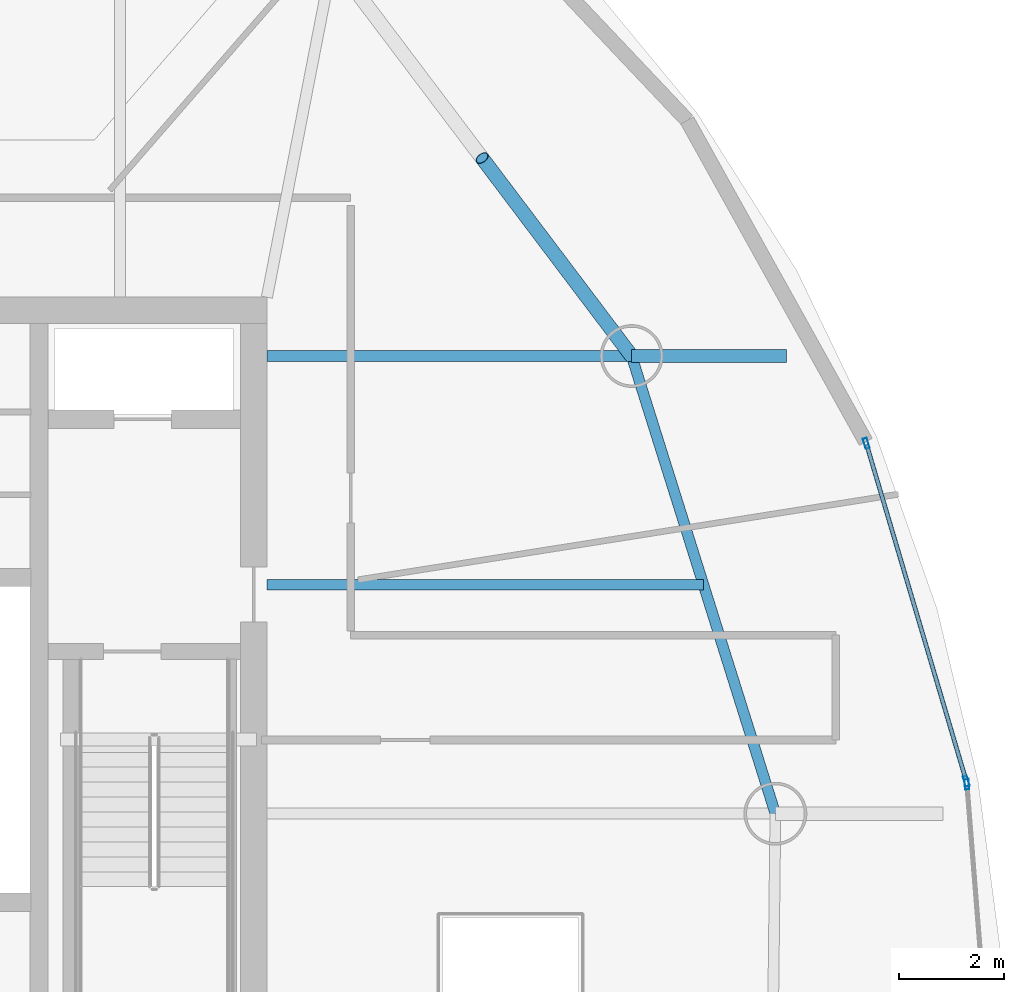
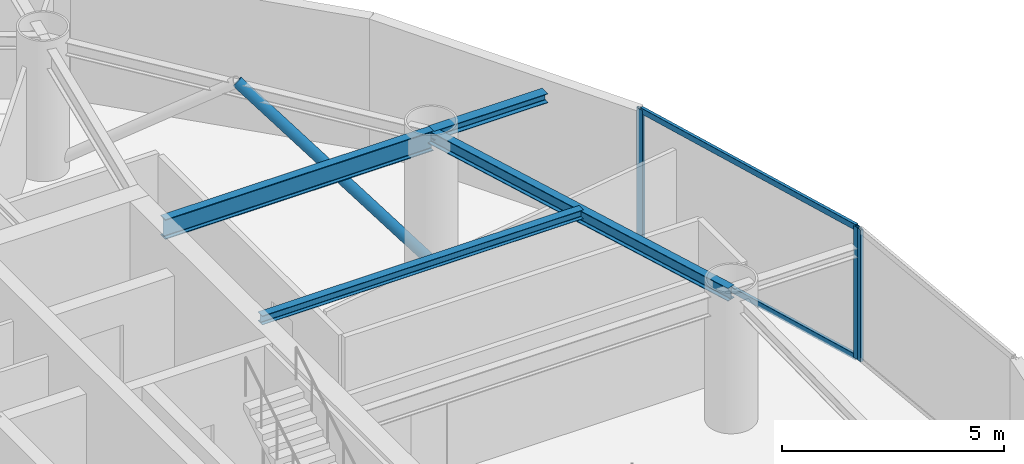
# One storey, part 9 of 21: 6 members, 4 beams, 2 elements without a shape of their own.
"""IFC4 building model written with IfcOpenShell, lengths in metres."""

from ifc_helpers import new_model, si_unit, direction, frame, origin, origin_2d, place, context, subcontext, project, spatial, hollow_rectangle, hollow_circle, i_section, extrude, material, layer, layer_set, material_profile, profile_set, type_object, element, aggregate, save


model = new_model("IFC4")

# Units and contexts
model_context = context("Model", 3, precision=1e-05, world=origin(), true_north=direction((0.0, 1.0)))
body_context = subcontext(model_context, "Body", "Model", "MODEL_VIEW")
ifc_project = project(units=[si_unit("LENGTHUNIT", "METRE"), si_unit("AREAUNIT", "SQUARE_METRE"), si_unit("VOLUMEUNIT", "CUBIC_METRE"), si_unit("PLANEANGLEUNIT", "RADIAN"), si_unit("MASSUNIT", "GRAM", prefix="KILO")], contexts=[model_context])

# Site, building, storey
site_placement = place(None, origin())
site = spatial("IfcSite", under=ifc_project, at=site_placement, CompositionType="ELEMENT")
building_placement = place(site_placement, origin())
building = spatial("IfcBuilding", under=site, at=building_placement, Name="Bramvorn Convention Spire", CompositionType="ELEMENT")
storey_placement = place(building_placement, frame((0.0, 0.0, 186.60009765625)))
storey = spatial("IfcBuildingStorey", under=building, at=storey_placement, Name="L47", CompositionType="ELEMENT", Elevation=186.60009765625)

# Beams
ifc_material_1 = material(Name="Steel CSA G40.21 Grade 350 (350W)", Category="steel")
ifc_material_profile_1 = material_profile(ifc_material_1, i_section(OverallWidth=0.201904296875, OverallDepth=0.2470703125, WebThickness=0.00732421875, FlangeThickness=0.010986328125, FilletRadius=0.011962890625, at=origin_2d()))
ifc_profile_set_1 = profile_set([ifc_material_profile_1], Name="Steel CSA G40.21 Grade 350 (350W) - W250X49")
beam_type_1 = type_object("IfcBeamType", Name="BM-W250X49", PredefinedType="JOIST", material=ifc_profile_set_1)
beam_1_placement = place(storey_placement, frame((49.25, 27.960205078125, 3.496337890625), z_axis=(1.0, 0.0, 0.0), x_axis=(0.0, 1.0, 0.0)))
element("IfcBeam", 1, at=beam_1_placement, inside=storey, type_object=beam_type_1, Name="L47 composite floor joist 03", PredefinedType="JOIST", context=body_context, shape_type="SweptSolid", body=[
    extrude(i_section(OverallWidth=0.201904296875, OverallDepth=0.2470703125, WebThickness=0.00732421875, FlangeThickness=0.010986328125, FilletRadius=0.011962890625, at=origin_2d()), origin(), (0.0, 0.0, 1.0), 8.33251953125),
])
ifc_material_profile_2 = material_profile(ifc_material_1, i_section(OverallWidth=0.25390625, OverallDepth=0.2529296875, WebThickness=0.008544921875, FlangeThickness=0.01416015625, FilletRadius=0.011962890625, at=origin_2d()))
ifc_profile_set_2 = profile_set([ifc_material_profile_2], Name="Steel CSA G40.21 Grade 350 (350W) - W250X73")
beam_type_2 = type_object("IfcBeamType", Name="BM-W250X73", PredefinedType="BEAM", material=ifc_profile_set_2)
beam_2_placement = place(storey_placement, frame((56.21044921875, 32.327392578125, 3.493408203125), z_axis=(1.0, 0.0, 0.0), x_axis=(0.0, 1.0, 0.0)))
element("IfcBeam", 2, at=beam_2_placement, inside=storey, type_object=beam_type_2, Name="L47 slab-edge cantilever tip beam MC04", PredefinedType="BEAM", context=body_context, shape_type="SweptSolid", body=[
    extrude(i_section(OverallWidth=0.25390625, OverallDepth=0.2529296875, WebThickness=0.008544921875, FlangeThickness=0.01416015625, FilletRadius=0.011962890625, at=origin_2d()), origin(), (0.0, 0.0, 1.0), 2.959228515625),
])
ifc_material_profile_3 = material_profile(ifc_material_1, i_section(OverallWidth=0.205078125, OverallDepth=0.35400390625, WebThickness=0.009521484375, FlangeThickness=0.016845703125, FilletRadius=0.014892578125, at=origin_2d()))
ifc_profile_set_3 = profile_set([ifc_material_profile_3], Name="Steel CSA G40.21 Grade 350 (350W) - W360X79")
beam_type_3 = type_object("IfcBeamType", Name="BM-W360X79", PredefinedType="JOIST", material=ifc_profile_set_3)
beam_3_placement = place(storey_placement, frame((58.95458984375, 23.593505859375, 3.44287109375), z_axis=(-0.299747542929, 0.954018558786, 0.0), x_axis=(-0.954018558786, -0.299747542929, 0.0)))
element("IfcBeam", 3, at=beam_3_placement, inside=storey, type_object=beam_type_3, Name="L47 mega-column ring beam 03", PredefinedType="JOIST", context=body_context, shape_type="SweptSolid", body=[
    extrude(i_section(OverallWidth=0.205078125, OverallDepth=0.35400390625, WebThickness=0.009521484375, FlangeThickness=0.016845703125, FilletRadius=0.014892578125, at=origin_2d()), origin(), (0.0, 0.0, 1.0), 9.15478515625),
])
ifc_material_profile_4 = material_profile(ifc_material_1, i_section(OverallWidth=0.2119140625, OverallDepth=0.5439453125, WebThickness=0.01318359375, FlangeThickness=0.021240234375, FilletRadius=0.01904296875, at=origin_2d()))
ifc_profile_set_4 = profile_set([ifc_material_profile_4], Name="Steel CSA G40.21 Grade 350 (350W) - W530X123")
beam_type_4 = type_object("IfcBeamType", Name="BM-W530X123", PredefinedType="BEAM", material=ifc_profile_set_4)
beam_4_placement = place(storey_placement, frame((49.25, 32.327392578125, 3.347900390625), z_axis=(1.0, 0.0, 0.0), x_axis=(0.0, 1.0, 0.0)))
element("IfcBeam", 4, at=beam_4_placement, inside=storey, type_object=beam_type_4, Name="L47 radial floor girder MC04", PredefinedType="BEAM", context=body_context, shape_type="SweptSolid", body=[
    extrude(i_section(OverallWidth=0.2119140625, OverallDepth=0.5439453125, WebThickness=0.01318359375, FlangeThickness=0.021240234375, FilletRadius=0.01904296875, at=origin_2d()), origin(), (0.0, 0.0, 1.0), 6.96044921875),
])

# Curtain wall, member
ifc_material_2 = material(Name="Anodised Bronze Unitised Curtain Wall", Category="aluminium")
ifc_layer = layer(ifc_material_2, 0.179931640625)
ifc_layer_set = layer_set([ifc_layer], Name="Anodised Bronze Unitised Curtain Wall - CW-OFF-FRIT")
curtain_wall_type = type_object("IfcCurtainWallType", Name="CW-OFF-FRIT", PredefinedType="USERDEFINED", material=ifc_layer_set)
curtain_wall_1_placement = place(storey_placement, origin())
curtain_wall_1 = element("IfcCurtainWall", 5, at=curtain_wall_1_placement, inside=storey, type_object=curtain_wall_type, Name="L47 fritted glass curtain wall 03", ObjectType="UNITISED CURTAIN WALL", PredefinedType="USERDEFINED")
ifc_material_3 = material(Name="Anodised Bronze Aluminium 6063-T6", Category="aluminium")
ifc_material_profile_5 = material_profile(ifc_material_3, hollow_rectangle(XDim=0.080078125, YDim=0.199951171875, WallThickness=0.00390625, InnerFilletRadius=0.0009765625, OuterFilletRadius=0.00390625, at=origin_2d()))
ifc_profile_set_5 = profile_set([ifc_material_profile_5], Name="Anodised Bronze Aluminium 6063-T6 - CWM80X200")
member_type_1 = type_object("IfcMemberType", Name="CW-MUL-180", PredefinedType="MULLION", material=ifc_profile_set_5)
member_1_placement = place(storey_placement, frame((62.609375, 24.15478515625, 0.0), z_axis=(0.0, 0.0, 1.0), x_axis=(0.996819362671, 0.079694154146, 0.0)))
member_1 = element("IfcMember", 6, at=member_1_placement, type_object=member_type_1, Name="CW3 mullion 1", PredefinedType="MULLION", context=body_context, shape_type="SweptSolid", body=[
    extrude(hollow_rectangle(XDim=0.080078125, YDim=0.199951171875, WallThickness=0.00390625, InnerFilletRadius=0.0009765625, OuterFilletRadius=0.00390625, at=origin_2d()), origin(), (0.0, 0.0, 1.0), 3.619873046875),
])
aggregate(curtain_wall_1, [member_1])

# Curtain wall, members
curtain_wall_2_placement = place(storey_placement, origin())
curtain_wall_2 = element("IfcCurtainWall", 7, at=curtain_wall_2_placement, inside=storey, type_object=curtain_wall_type, Name="L47 fritted glass curtain wall 04", ObjectType="UNITISED CURTAIN WALL", PredefinedType="USERDEFINED")
member_2_placement = place(storey_placement, frame((60.688720703125, 30.661376953125, 0.0), z_axis=(0.0, 0.0, 1.0), x_axis=(0.958834088921, 0.283966881738, 0.0)))
member_2 = element("IfcMember", 8, at=member_2_placement, type_object=member_type_1, Name="CW3 mullion 1", PredefinedType="MULLION", context=body_context, shape_type="SweptSolid", body=[
    extrude(hollow_rectangle(XDim=0.080078125, YDim=0.199951171875, WallThickness=0.00390625, InnerFilletRadius=0.0009765625, OuterFilletRadius=0.00390625, at=origin_2d()), origin(), (0.0, 0.0, 1.0), 3.619873046875),
])
member_3_placement = place(storey_placement, frame((62.598388671875, 24.213623046875, 0.0), z_axis=(0.0, 0.0, 1.0), x_axis=(0.958834088921, 0.283966881738, 0.0)))
member_3 = element("IfcMember", 9, at=member_3_placement, type_object=member_type_1, Name="CW3 mullion 2", PredefinedType="MULLION", context=body_context, shape_type="SweptSolid", body=[
    extrude(hollow_rectangle(XDim=0.080078125, YDim=0.199951171875, WallThickness=0.00390625, InnerFilletRadius=0.0009765625, OuterFilletRadius=0.00390625, at=origin_2d()), origin(), (0.0, 0.0, 1.0), 3.619873046875),
])
ifc_material_profile_6 = material_profile(ifc_material_3, hollow_rectangle(XDim=0.080078125, YDim=0.159912109375, WallThickness=0.00390625, InnerFilletRadius=0.0009765625, OuterFilletRadius=0.00390625, at=origin_2d()))
ifc_profile_set_6 = profile_set([ifc_material_profile_6], Name="Anodised Bronze Aluminium 6063-T6 - CWT80X160")
member_type_2 = type_object("IfcMemberType", Name="CW-TRN-150", PredefinedType="USERDEFINED", material=ifc_profile_set_6)
member_4_placement = place(storey_placement, frame((60.697265625, 30.632568359375, 0.02978515625), z_axis=(0.28397856759, -0.958830627979, 0.0), x_axis=(0.958830627979, 0.28397856759, 0.0)))
member_4 = element("IfcMember", 10, at=member_4_placement, type_object=member_type_2, Name="CW3 transom 1.1", ObjectType="TRANSOM", PredefinedType="USERDEFINED", context=body_context, shape_type="SweptSolid", body=[
    extrude(hollow_rectangle(XDim=0.080078125, YDim=0.159912109375, WallThickness=0.00390625, InnerFilletRadius=0.0009765625, OuterFilletRadius=0.00390625, at=origin_2d()), origin(), (0.0, 0.0, 1.0), 6.66455078125),
])
member_5_placement = place(storey_placement, frame((60.697265625, 30.632568359375, 3.58984375), z_axis=(0.28397856759, -0.958830627979, 0.0), x_axis=(0.958830627979, 0.28397856759, 0.0)))
member_5 = element("IfcMember", 11, at=member_5_placement, type_object=member_type_2, Name="CW3 transom 1.2", ObjectType="TRANSOM", PredefinedType="USERDEFINED", context=body_context, shape_type="SweptSolid", body=[
    extrude(hollow_rectangle(XDim=0.080078125, YDim=0.159912109375, WallThickness=0.00390625, InnerFilletRadius=0.0009765625, OuterFilletRadius=0.00390625, at=origin_2d()), origin(), (0.0, 0.0, 1.0), 6.66455078125),
])
aggregate(curtain_wall_2, [member_2, member_3, member_4, member_5])

# Member
ifc_material_profile_7 = material_profile(ifc_material_1, hollow_circle(Radius=0.136474609375, WallThickness=0.0126953125, at=origin_2d()))
ifc_profile_set_7 = profile_set([ifc_material_profile_7], Name="Steel CSA G40.21 Grade 350 (350W) - CHS273X13")
member_type_3 = type_object("IfcMemberType", Name="MBR-CHS273X13", PredefinedType="BRACE", material=ifc_profile_set_7)
member_6_placement = place(storey_placement, frame((56.21044921875, 32.327392578125, 0.0), z_axis=(-0.478846711924, 0.633956839206, 0.607292806235), x_axis=(-0.797953827999, -0.602718581414, 0.0)))
element("IfcMember", 12, at=member_6_placement, inside=storey, type_object=member_type_3, Name="L47 perimeter Gothic lancet brace 4A", PredefinedType="BRACE", context=body_context, shape_type="SweptSolid", body=[
    extrude(hollow_circle(Radius=0.136474609375, WallThickness=0.0126953125, at=origin_2d()), origin(), (0.0, 0.0, 1.0), 5.960693359375),
])

save(model, "model.ifc")
